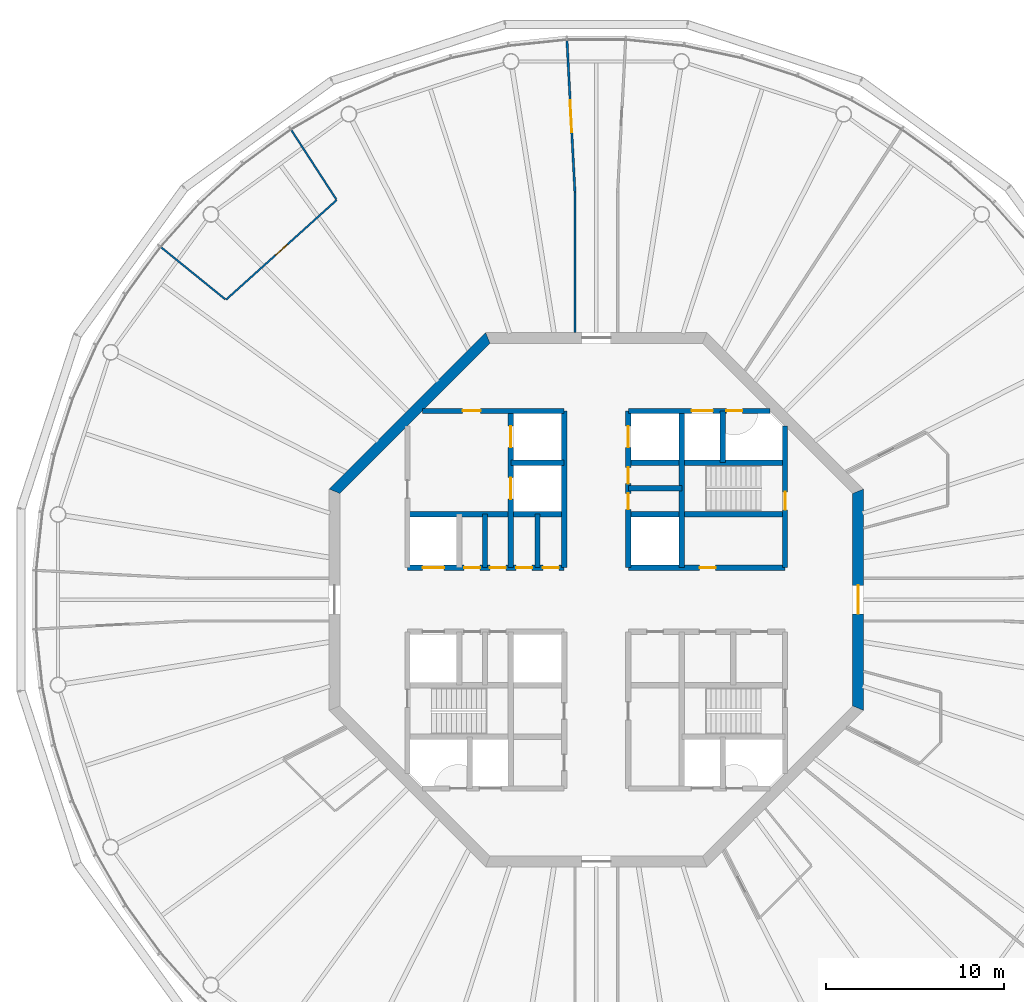
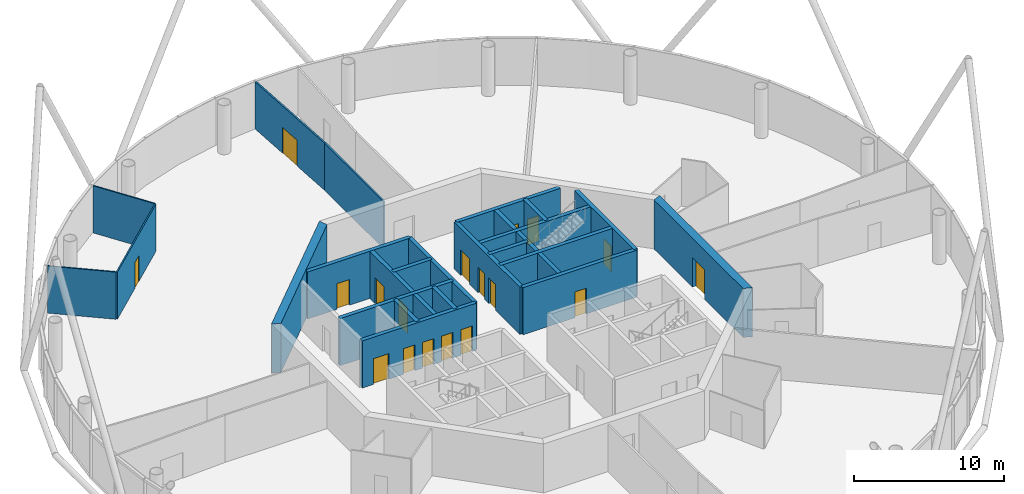
# One storey, part 5 of 13: 24 walls, 18 doors, 18 openings.
"""IFC4 building model written with IfcOpenShell, lengths in metres."""

from ifc_helpers import new_model, si_unit, direction, frame, frame_2d, origin, place, context, subcontext, project, spatial, polyline, rectangle, outline, extrude, material, layer, layer_set, type_object, element, fill, save


model = new_model("IFC4")

# Units and contexts
model_context = context("Model", 3, precision=1e-05, world=origin(), true_north=direction((0.0, 1.0)))
body_context = subcontext(model_context, "Body", "Model", "MODEL_VIEW")
ifc_project = project(units=[si_unit("LENGTHUNIT", "METRE"), si_unit("AREAUNIT", "SQUARE_METRE"), si_unit("VOLUMEUNIT", "CUBIC_METRE"), si_unit("PLANEANGLEUNIT", "RADIAN"), si_unit("MASSUNIT", "GRAM", prefix="KILO")], contexts=[model_context])

# Site, building, storey
site_placement = place(None, origin())
site = spatial("IfcSite", under=ifc_project, at=site_placement, CompositionType="ELEMENT")
building_placement = place(site_placement, origin())
building = spatial("IfcBuilding", under=site, at=building_placement, Name="Entoto Ring Tower", CompositionType="ELEMENT")
storey_placement = place(building_placement, frame((0.0, 0.0, 356.0)))
storey = spatial("IfcBuildingStorey", under=building, at=storey_placement, Name="L82", CompositionType="ELEMENT", Elevation=356.0)

# Wall, opening, door
ifc_material_1 = material(Name="Concrete C40/50", Category="concrete")
ifc_layer_1 = layer(ifc_material_1, 0.300048828125)
ifc_layer_set_1 = layer_set([ifc_layer_1], Name="Concrete C40/50")
wall_type_1 = type_object("IfcWallType", Name="Core enclosure wall 300 mm reinforced concrete", PredefinedType="SOLIDWALL", material=ifc_layer_set_1)
wall_1_placement = place(storey_placement, frame((100.60009765625, 81.800048828125, 0.0), z_axis=(0.0, 0.0, 1.0), x_axis=(0.0, 1.0, 0.0)))
wall_1 = element("IfcWall", 1, at=wall_1_placement, inside=storey, type_object=wall_type_1, Name="wall-L82-002", PredefinedType="SOLIDWALL", context=body_context, shape_type="SweptSolid", body=[
    extrude(rectangle(XDim=7.964599609375, YDim=0.300048828125, at=frame_2d((3.982421875, 0.0))), origin(), (0.0, 0.0, 1.0), 3.85009765625),
])
opening_1_placement = place(wall_1_placement, frame((3.25, 0.0, 0.0)))
opening_1 = element("IfcOpeningElement", 2, at=opening_1_placement, cuts=wall_1, Name="Opening K-26", PredefinedType="OPENING", context=body_context, shape_type="SweptSolid", body=[
    extrude(rectangle(XDim=1.0, YDim=2.10009765625, at=frame_2d((0.5, 1.050048828125))), frame((0.0, 0.16015625, 0.0), z_axis=(0.0, -1.0, 0.0), x_axis=(1.0, 0.0, 0.0)), (0.0, 0.0, 1.0), 0.320068359375),
])
ifc_material_2 = material(Name="Steel door leaf, fire rated", Category="steel")
ifc_layer_2 = layer(ifc_material_2, 0.050048828125)
ifc_layer_set_2 = layer_set([ifc_layer_2], Name="Steel door leaf, fire rated")
door_type_1 = type_object("IfcDoorType", Name="Fire door FD60 1000 x 2100 single leaf", OperationType="NOTDEFINED", PredefinedType="DOOR", material=ifc_layer_set_2)
door_1_placement = place(opening_1_placement, origin())
door_1 = element("IfcDoor", 3, at=door_1_placement, inside=storey, type_object=door_type_1, Name="Door K-26", OperationType="SINGLE_SWING_LEFT", OverallHeight=2.10009765625, OverallWidth=1.0, PredefinedType="DOOR", context=body_context, shape_type="SweptSolid", body=[
    extrude(rectangle(XDim=1.0, YDim=2.10009765625, at=frame_2d((0.5, 1.050048828125))), frame((0.0, 0.02490234375, 0.0), z_axis=(0.0, -1.0, 0.0), x_axis=(1.0, 0.0, 0.0)), (0.0, 0.0, 1.0), 0.050048828125),
])
fill(opening_1, door_1)

# Walls
wall_2_placement = place(storey_placement, frame((97.10009765625, 87.699951171875, 0.0), z_axis=(0.0, 0.0, 1.0), x_axis=(0.0, 1.0, 0.0)))
element("IfcWall", 4, at=wall_2_placement, inside=storey, type_object=wall_type_1, Name="wall-L82-005", PredefinedType="SOLIDWALL", context=body_context, shape_type="SweptSolid", body=[
    extrude(rectangle(XDim=2.900146484375, YDim=0.300048828125, at=frame_2d((1.4501953125, 0.0))), origin(), (0.0, 0.0, 1.0), 3.85009765625),
])
wall_3_placement = place(storey_placement, frame((94.800048828125, 81.800048828125, 0.0), z_axis=(0.0, 0.0, 1.0), x_axis=(0.0, 1.0, 0.0)))
element("IfcWall", 5, at=wall_3_placement, inside=storey, type_object=wall_type_1, Name="wall-L82-007", PredefinedType="SOLIDWALL", context=body_context, shape_type="SweptSolid", body=[
    extrude(rectangle(XDim=8.800048828125, YDim=0.300048828125, at=frame_2d((4.39990234375, 0.0))), origin(), (0.0, 0.0, 1.0), 3.85009765625),
])

# Wall, openings, doors
wall_4_placement = place(storey_placement, frame((91.800048828125, 81.800048828125, 0.0), z_axis=(0.0, 0.0, 1.0), x_axis=(0.0, 1.0, 0.0)))
wall_4 = element("IfcWall", 6, at=wall_4_placement, inside=storey, type_object=wall_type_1, Name="wall-L82-009", PredefinedType="SOLIDWALL", context=body_context, shape_type="SweptSolid", body=[
    extrude(rectangle(XDim=8.800048828125, YDim=0.300048828125, at=frame_2d((4.39990234375, 0.0))), origin(), (0.0, 0.0, 1.0), 3.85009765625),
])
opening_2_placement = place(wall_4_placement, frame((6.75, 0.0, 0.0)))
opening_2 = element("IfcOpeningElement", 7, at=opening_2_placement, cuts=wall_4, Name="Opening LD", PredefinedType="OPENING", context=body_context, shape_type="SweptSolid", body=[
    extrude(rectangle(XDim=1.199951171875, YDim=2.10009765625, at=frame_2d((0.60009765625, 1.050048828125))), frame((0.0, 0.16015625, 0.0), z_axis=(0.0, -1.0, 0.0), x_axis=(1.0, 0.0, 0.0)), (0.0, 0.0, 1.0), 0.320068359375),
])
opening_3_placement = place(wall_4_placement, frame((3.27490234375, 0.0, 0.0)))
opening_3 = element("IfcOpeningElement", 8, at=opening_3_placement, cuts=wall_4, Name="Opening K-18", PredefinedType="OPENING", context=body_context, shape_type="SweptSolid", body=[
    extrude(rectangle(XDim=0.89990234375, YDim=2.10009765625, at=frame_2d((0.449951171875, 1.050048828125))), frame((0.0, 0.16015625, 0.0), z_axis=(0.0, -1.0, 0.0), x_axis=(1.0, 0.0, 0.0)), (0.0, 0.0, 1.0), 0.320068359375),
])
opening_4_placement = place(wall_4_placement, frame((4.72509765625, 0.0, 0.0)))
opening_4 = element("IfcOpeningElement", 9, at=opening_4_placement, cuts=wall_4, Name="Opening K-19", PredefinedType="OPENING", context=body_context, shape_type="SweptSolid", body=[
    extrude(rectangle(XDim=0.89990234375, YDim=2.10009765625, at=frame_2d((0.449951171875, 1.050048828125))), frame((0.0, 0.16015625, 0.0), z_axis=(0.0, -1.0, 0.0), x_axis=(1.0, 0.0, 0.0)), (0.0, 0.0, 1.0), 0.320068359375),
])
ifc_material_3 = material(Name="Steel door leaf, fire rated", Category="steel")
ifc_layer_3 = layer(ifc_material_3, 0.050048828125)
ifc_layer_set_3 = layer_set([ifc_layer_3], Name="Steel door leaf, fire rated")
door_type_2 = type_object("IfcDoorType", Name="Core door 900 x 2100 single leaf", OperationType="NOTDEFINED", PredefinedType="DOOR", material=ifc_layer_set_3)
door_2_placement = place(opening_3_placement, frame((0.89990234375, 0.0, 0.0), z_axis=(0.0, 0.0, 1.0), x_axis=(-1.0, 0.0, 0.0)))
door_2 = element("IfcDoor", 10, at=door_2_placement, inside=storey, type_object=door_type_2, Name="Door K-18", OperationType="SINGLE_SWING_LEFT", OverallHeight=2.10009765625, OverallWidth=0.89990234375, PredefinedType="DOOR", context=body_context, shape_type="SweptSolid", body=[
    extrude(rectangle(XDim=0.89990234375, YDim=2.10009765625, at=frame_2d((0.449951171875, 1.050048828125))), frame((0.0, 0.02490234375, 0.0), z_axis=(0.0, -1.0, 0.0), x_axis=(1.0, 0.0, 0.0)), (0.0, 0.0, 1.0), 0.050048828125),
])
fill(opening_3, door_2)
door_3_placement = place(opening_4_placement, frame((0.89990234375, 0.0, 0.0), z_axis=(0.0, 0.0, 1.0), x_axis=(-1.0, 0.0, 0.0)))
door_3 = element("IfcDoor", 11, at=door_3_placement, inside=storey, type_object=door_type_2, Name="Door K-19", OperationType="SINGLE_SWING_RIGHT", OverallHeight=2.10009765625, OverallWidth=0.89990234375, PredefinedType="DOOR", context=body_context, shape_type="SweptSolid", body=[
    extrude(rectangle(XDim=0.89990234375, YDim=2.10009765625, at=frame_2d((0.449951171875, 1.050048828125))), frame((0.0, 0.02490234375, 0.0), z_axis=(0.0, -1.0, 0.0), x_axis=(1.0, 0.0, 0.0)), (0.0, 0.0, 1.0), 0.050048828125),
])
fill(opening_4, door_3)
ifc_material_4 = material(Name="Steel and glass door leaf", Category="steel")
ifc_layer_4 = layer(ifc_material_4, 0.050048828125)
ifc_layer_set_4 = layer_set([ifc_layer_4], Name="Steel and glass door leaf")
door_type_3 = type_object("IfcDoorType", Name="Landing door 1200 x 2100 sliding", OperationType="DOUBLE_DOOR_SLIDING", PredefinedType="DOOR", material=ifc_layer_set_4)
door_4_placement = place(opening_2_placement, origin())
door_4 = element("IfcDoor", 12, at=door_4_placement, inside=storey, type_object=door_type_3, Name="Landing door SH3", OperationType="SLIDING_TO_RIGHT", OverallHeight=2.10009765625, OverallWidth=1.199951171875, PredefinedType="DOOR", context=body_context, shape_type="SweptSolid", body=[
    extrude(rectangle(XDim=1.199951171875, YDim=2.10009765625, at=frame_2d((0.60009765625, 1.050048828125))), frame((0.0, 0.02490234375, 0.0), z_axis=(0.0, -1.0, 0.0), x_axis=(1.0, 0.0, 0.0)), (0.0, 0.0, 1.0), 0.050048828125),
])
fill(opening_2, door_4)

# Walls
wall_5_placement = place(storey_placement, frame((88.199951171875, 81.800048828125, 0.0), z_axis=(0.0, 0.0, 1.0), x_axis=(0.0, 1.0, 0.0)))
element("IfcWall", 13, at=wall_5_placement, inside=storey, type_object=wall_type_1, Name="wall-L82-011", PredefinedType="SOLIDWALL", context=body_context, shape_type="SweptSolid", body=[
    extrude(rectangle(XDim=8.800048828125, YDim=0.300048828125, at=frame_2d((4.39990234375, 0.0))), origin(), (0.0, 0.0, 1.0), 3.85009765625),
])
wall_6_placement = place(storey_placement, frame((86.699951171875, 81.800048828125, 0.0), z_axis=(0.0, 0.0, 1.0), x_axis=(0.0, 1.0, 0.0)))
element("IfcWall", 14, at=wall_6_placement, inside=storey, type_object=wall_type_1, Name="wall-L82-012", PredefinedType="SOLIDWALL", context=body_context, shape_type="SweptSolid", body=[
    extrude(rectangle(XDim=3.0, YDim=0.300048828125, at=frame_2d((1.5, 0.0))), origin(), (0.0, 0.0, 1.0), 3.85009765625),
])

# Wall, openings, doors
wall_7_placement = place(storey_placement, frame((85.199951171875, 81.800048828125, 0.0), z_axis=(0.0, 0.0, 1.0), x_axis=(0.0, 1.0, 0.0)))
wall_7 = element("IfcWall", 15, at=wall_7_placement, inside=storey, type_object=wall_type_1, Name="wall-L82-014", PredefinedType="SOLIDWALL", context=body_context, shape_type="SweptSolid", body=[
    extrude(rectangle(XDim=8.800048828125, YDim=0.300048828125, at=frame_2d((4.39990234375, 0.0))), origin(), (0.0, 0.0, 1.0), 3.85009765625),
])
opening_5_placement = place(wall_7_placement, frame((3.85009765625, 0.0, 0.0)))
opening_5 = element("IfcOpeningElement", 16, at=opening_5_placement, cuts=wall_7, Name="Opening LD", PredefinedType="OPENING", context=body_context, shape_type="SweptSolid", body=[
    extrude(rectangle(XDim=1.199951171875, YDim=2.10009765625, at=frame_2d((0.60009765625, 1.050048828125))), frame((0.0, 0.16015625, 0.0), z_axis=(0.0, -1.0, 0.0), x_axis=(1.0, 0.0, 0.0)), (0.0, 0.0, 1.0), 0.320068359375),
])
opening_6_placement = place(wall_7_placement, frame((6.75, 0.0, 0.0)))
opening_6 = element("IfcOpeningElement", 17, at=opening_6_placement, cuts=wall_7, Name="Opening LD", PredefinedType="OPENING", context=body_context, shape_type="SweptSolid", body=[
    extrude(rectangle(XDim=1.199951171875, YDim=2.10009765625, at=frame_2d((0.60009765625, 1.050048828125))), frame((0.0, 0.16015625, 0.0), z_axis=(0.0, -1.0, 0.0), x_axis=(1.0, 0.0, 0.0)), (0.0, 0.0, 1.0), 0.320068359375),
])
door_5_placement = place(opening_5_placement, origin())
door_5 = element("IfcDoor", 18, at=door_5_placement, inside=storey, type_object=door_type_3, Name="Landing door FF1", OperationType="SLIDING_TO_RIGHT", OverallHeight=2.10009765625, OverallWidth=1.199951171875, PredefinedType="DOOR", context=body_context, shape_type="SweptSolid", body=[
    extrude(rectangle(XDim=1.199951171875, YDim=2.10009765625, at=frame_2d((0.60009765625, 1.050048828125))), frame((0.0, 0.02490234375, 0.0), z_axis=(0.0, -1.0, 0.0), x_axis=(1.0, 0.0, 0.0)), (0.0, 0.0, 1.0), 0.050048828125),
])
fill(opening_5, door_5)
door_6_placement = place(opening_6_placement, origin())
door_6 = element("IfcDoor", 19, at=door_6_placement, inside=storey, type_object=door_type_3, Name="Landing door FF2", OperationType="SLIDING_TO_RIGHT", OverallHeight=2.10009765625, OverallWidth=1.199951171875, PredefinedType="DOOR", context=body_context, shape_type="SweptSolid", body=[
    extrude(rectangle(XDim=1.199951171875, YDim=2.10009765625, at=frame_2d((0.60009765625, 1.050048828125))), frame((0.0, 0.02490234375, 0.0), z_axis=(0.0, -1.0, 0.0), x_axis=(1.0, 0.0, 0.0)), (0.0, 0.0, 1.0), 0.050048828125),
])
fill(opening_6, door_6)

# Wall
wall_8_placement = place(storey_placement, frame((83.75, 81.800048828125, 0.0), z_axis=(0.0, 0.0, 1.0), x_axis=(0.0, 1.0, 0.0)))
element("IfcWall", 20, at=wall_8_placement, inside=storey, type_object=wall_type_1, Name="wall-L82-016", PredefinedType="SOLIDWALL", context=body_context, shape_type="SweptSolid", body=[
    extrude(rectangle(XDim=3.0, YDim=0.300048828125, at=frame_2d((1.5, 0.0))), origin(), (0.0, 0.0, 1.0), 3.85009765625),
])

# Wall, openings, doors
wall_9_placement = place(storey_placement, frame((79.39990234375, 81.800048828125, 0.0), z_axis=(0.0, 0.0, 1.0), x_axis=(1.0, 0.0, 0.0)))
wall_9 = element("IfcWall", 21, at=wall_9_placement, inside=storey, type_object=wall_type_1, Name="wall-L82-030", PredefinedType="SOLIDWALL", context=body_context, shape_type="SweptSolid", body=[
    extrude(rectangle(XDim=8.800048828125, YDim=0.300048828125, at=frame_2d((4.39990234375, 0.0))), origin(), (0.0, 0.0, 1.0), 3.85009765625),
])
opening_7_placement = place(wall_9_placement, frame((0.85009765625, 0.0, 0.0)))
opening_7 = element("IfcOpeningElement", 22, at=opening_7_placement, cuts=wall_9, Name="Opening LD", PredefinedType="OPENING", context=body_context, shape_type="SweptSolid", body=[
    extrude(rectangle(XDim=1.199951171875, YDim=2.10009765625, at=frame_2d((0.60009765625, 1.050048828125))), frame((0.0, 0.16015625, 0.0), z_axis=(0.0, -1.0, 0.0), x_axis=(1.0, 0.0, 0.0)), (0.0, 0.0, 1.0), 0.320068359375),
])
opening_8_placement = place(wall_9_placement, frame((3.175048828125, 0.0, 0.0)))
opening_8 = element("IfcOpeningElement", 23, at=opening_8_placement, cuts=wall_9, Name="Opening K-12", PredefinedType="OPENING", context=body_context, shape_type="SweptSolid", body=[
    extrude(rectangle(XDim=0.89990234375, YDim=2.10009765625, at=frame_2d((0.449951171875, 1.050048828125))), frame((0.0, 0.16015625, 0.0), z_axis=(0.0, -1.0, 0.0), x_axis=(1.0, 0.0, 0.0)), (0.0, 0.0, 1.0), 0.320068359375),
])
opening_9_placement = place(wall_9_placement, frame((4.625, 0.0, 0.0)))
opening_9 = element("IfcOpeningElement", 24, at=opening_9_placement, cuts=wall_9, Name="Opening K-46", PredefinedType="OPENING", context=body_context, shape_type="SweptSolid", body=[
    extrude(rectangle(XDim=0.89990234375, YDim=2.10009765625, at=frame_2d((0.449951171875, 1.050048828125))), frame((0.0, 0.16015625, 0.0), z_axis=(0.0, -1.0, 0.0), x_axis=(1.0, 0.0, 0.0)), (0.0, 0.0, 1.0), 0.320068359375),
])
opening_10_placement = place(wall_9_placement, frame((6.10009765625, 0.0, 0.0)))
opening_10 = element("IfcOpeningElement", 25, at=opening_10_placement, cuts=wall_9, Name="Opening K-71", PredefinedType="OPENING", context=body_context, shape_type="SweptSolid", body=[
    extrude(rectangle(XDim=0.89990234375, YDim=2.10009765625, at=frame_2d((0.449951171875, 1.050048828125))), frame((0.0, 0.16015625, 0.0), z_axis=(0.0, -1.0, 0.0), x_axis=(1.0, 0.0, 0.0)), (0.0, 0.0, 1.0), 0.320068359375),
])
opening_11_placement = place(wall_9_placement, frame((7.60009765625, 0.0, 0.0)))
opening_11 = element("IfcOpeningElement", 26, at=opening_11_placement, cuts=wall_9, Name="Opening K-24", PredefinedType="OPENING", context=body_context, shape_type="SweptSolid", body=[
    extrude(rectangle(XDim=0.89990234375, YDim=2.10009765625, at=frame_2d((0.449951171875, 1.050048828125))), frame((0.0, 0.16015625, 0.0), z_axis=(0.0, -1.0, 0.0), x_axis=(1.0, 0.0, 0.0)), (0.0, 0.0, 1.0), 0.320068359375),
])
door_7_placement = place(opening_8_placement, origin())
door_7 = element("IfcDoor", 27, at=door_7_placement, inside=storey, type_object=door_type_2, Name="Door K-12", OperationType="SINGLE_SWING_RIGHT", OverallHeight=2.10009765625, OverallWidth=0.89990234375, PredefinedType="DOOR", context=body_context, shape_type="SweptSolid", body=[
    extrude(rectangle(XDim=0.89990234375, YDim=2.10009765625, at=frame_2d((0.449951171875, 1.050048828125))), frame((0.0, 0.02490234375, 0.0), z_axis=(0.0, -1.0, 0.0), x_axis=(1.0, 0.0, 0.0)), (0.0, 0.0, 1.0), 0.050048828125),
])
fill(opening_8, door_7)
door_8_placement = place(opening_9_placement, origin())
door_8 = element("IfcDoor", 28, at=door_8_placement, inside=storey, type_object=door_type_2, Name="Door K-46", OperationType="SINGLE_SWING_RIGHT", OverallHeight=2.10009765625, OverallWidth=0.89990234375, PredefinedType="DOOR", context=body_context, shape_type="SweptSolid", body=[
    extrude(rectangle(XDim=0.89990234375, YDim=2.10009765625, at=frame_2d((0.449951171875, 1.050048828125))), frame((0.0, 0.02490234375, 0.0), z_axis=(0.0, -1.0, 0.0), x_axis=(1.0, 0.0, 0.0)), (0.0, 0.0, 1.0), 0.050048828125),
])
fill(opening_9, door_8)
door_9_placement = place(opening_10_placement, origin())
door_9 = element("IfcDoor", 29, at=door_9_placement, inside=storey, type_object=door_type_2, Name="Door K-71", OperationType="SINGLE_SWING_LEFT", OverallHeight=2.10009765625, OverallWidth=0.89990234375, PredefinedType="DOOR", context=body_context, shape_type="SweptSolid", body=[
    extrude(rectangle(XDim=0.89990234375, YDim=2.10009765625, at=frame_2d((0.449951171875, 1.050048828125))), frame((0.0, 0.02490234375, 0.0), z_axis=(0.0, -1.0, 0.0), x_axis=(1.0, 0.0, 0.0)), (0.0, 0.0, 1.0), 0.050048828125),
])
fill(opening_10, door_9)
door_10_placement = place(opening_11_placement, origin())
door_10 = element("IfcDoor", 30, at=door_10_placement, inside=storey, type_object=door_type_2, Name="Door K-24", OperationType="SINGLE_SWING_LEFT", OverallHeight=2.10009765625, OverallWidth=0.89990234375, PredefinedType="DOOR", context=body_context, shape_type="SweptSolid", body=[
    extrude(rectangle(XDim=0.89990234375, YDim=2.10009765625, at=frame_2d((0.449951171875, 1.050048828125))), frame((0.0, 0.02490234375, 0.0), z_axis=(0.0, -1.0, 0.0), x_axis=(1.0, 0.0, 0.0)), (0.0, 0.0, 1.0), 0.050048828125),
])
fill(opening_11, door_10)
door_11_placement = place(opening_7_placement, origin())
door_11 = element("IfcDoor", 31, at=door_11_placement, inside=storey, type_object=door_type_3, Name="Landing door SH1", OperationType="SLIDING_TO_RIGHT", OverallHeight=2.10009765625, OverallWidth=1.199951171875, PredefinedType="DOOR", context=body_context, shape_type="SweptSolid", body=[
    extrude(rectangle(XDim=1.199951171875, YDim=2.10009765625, at=frame_2d((0.60009765625, 1.050048828125))), frame((0.0, 0.02490234375, 0.0), z_axis=(0.0, -1.0, 0.0), x_axis=(1.0, 0.0, 0.0)), (0.0, 0.0, 1.0), 0.050048828125),
])
fill(opening_7, door_11)

# Wall, opening, door
wall_10_placement = place(storey_placement, frame((91.800048828125, 81.800048828125, 0.0), z_axis=(0.0, 0.0, 1.0), x_axis=(1.0, 0.0, 0.0)))
wall_10 = element("IfcWall", 32, at=wall_10_placement, inside=storey, type_object=wall_type_1, Name="wall-L82-031", PredefinedType="SOLIDWALL", context=body_context, shape_type="SweptSolid", body=[
    extrude(rectangle(XDim=8.800048828125, YDim=0.300048828125, at=frame_2d((4.39990234375, 0.0))), origin(), (0.0, 0.0, 1.0), 3.85009765625),
])
opening_12_placement = place(wall_10_placement, frame((4.0, 0.0, 0.0)))
opening_12 = element("IfcOpeningElement", 33, at=opening_12_placement, cuts=wall_10, Name="Opening K-11", PredefinedType="OPENING", context=body_context, shape_type="SweptSolid", body=[
    extrude(rectangle(XDim=0.89990234375, YDim=2.10009765625, at=frame_2d((0.449951171875, 1.050048828125))), frame((0.0, 0.16015625, 0.0), z_axis=(0.0, -1.0, 0.0), x_axis=(1.0, 0.0, 0.0)), (0.0, 0.0, 1.0), 0.320068359375),
])
door_12_placement = place(opening_12_placement, origin())
door_12 = element("IfcDoor", 34, at=door_12_placement, inside=storey, type_object=door_type_2, Name="Door K-11", OperationType="SINGLE_SWING_LEFT", OverallHeight=2.10009765625, OverallWidth=0.89990234375, PredefinedType="DOOR", context=body_context, shape_type="SweptSolid", body=[
    extrude(rectangle(XDim=0.89990234375, YDim=2.10009765625, at=frame_2d((0.449951171875, 1.050048828125))), frame((0.0, 0.02490234375, 0.0), z_axis=(0.0, -1.0, 0.0), x_axis=(1.0, 0.0, 0.0)), (0.0, 0.0, 1.0), 0.050048828125),
])
fill(opening_12, door_12)

# Walls
for number, where, z_axis, x_axis, name in (
    (35, (79.39990234375, 84.800048828125, 0.0), (0.0, 0.0, 1.0), (1.0, 0.0, 0.0), "wall-L82-032"),
    (36, (91.800048828125, 84.800048828125, 0.0), (0.0, 0.0, 1.0), (1.0, 0.0, 0.0), "wall-L82-033"),
):
    element("IfcWall", number, at=place(storey_placement, frame(where, z_axis=z_axis, x_axis=x_axis)), inside=storey, type_object=wall_type_1, Name=name, PredefinedType="SOLIDWALL", context=body_context, shape_type="SweptSolid", body=[
        extrude(rectangle(XDim=8.800048828125, YDim=0.300048828125, at=frame_2d((4.39990234375, 0.0))), origin(), (0.0, 0.0, 1.0), 3.85009765625),
    ])
for number, where, z_axis, x_axis, name in (
    (37, (91.800048828125, 86.25, 0.0), (0.0, 0.0, 1.0), (1.0, 0.0, 0.0), "wall-L82-034"),
    (38, (85.199951171875, 87.699951171875, 0.0), (0.0, 0.0, 1.0), (1.0, 0.0, 0.0), "wall-L82-035"),
):
    element("IfcWall", number, at=place(storey_placement, frame(where, z_axis=z_axis, x_axis=x_axis)), inside=storey, type_object=wall_type_1, Name=name, PredefinedType="SOLIDWALL", context=body_context, shape_type="SweptSolid", body=[
        extrude(rectangle(XDim=3.0, YDim=0.300048828125, at=frame_2d((1.5, 0.0))), origin(), (0.0, 0.0, 1.0), 3.85009765625),
    ])
wall_11_placement = place(storey_placement, frame((91.800048828125, 87.699951171875, 0.0), z_axis=(0.0, 0.0, 1.0), x_axis=(1.0, 0.0, 0.0)))
element("IfcWall", 39, at=wall_11_placement, inside=storey, type_object=wall_type_1, Name="wall-L82-036", PredefinedType="SOLIDWALL", context=body_context, shape_type="SweptSolid", body=[
    extrude(rectangle(XDim=8.800048828125, YDim=0.300048828125, at=frame_2d((4.39990234375, 0.0))), origin(), (0.0, 0.0, 1.0), 3.85009765625),
])

# Wall, opening, door
wall_12_placement = place(storey_placement, frame((80.2353515625, 90.60009765625, 0.0), z_axis=(0.0, 0.0, 1.0), x_axis=(1.0, 0.0, 0.0)))
wall_12 = element("IfcWall", 40, at=wall_12_placement, inside=storey, type_object=wall_type_1, Name="wall-L82-037", PredefinedType="SOLIDWALL", context=body_context, shape_type="SweptSolid", body=[
    extrude(rectangle(XDim=7.964599609375, YDim=0.300048828125, at=frame_2d((3.982421875, 0.0))), origin(), (0.0, 0.0, 1.0), 3.85009765625),
])
opening_13_placement = place(wall_12_placement, frame((2.2646484375, 0.0, 0.0)))
opening_13 = element("IfcOpeningElement", 41, at=opening_13_placement, cuts=wall_12, Name="Opening K-87", PredefinedType="OPENING", context=body_context, shape_type="SweptSolid", body=[
    extrude(rectangle(XDim=1.0, YDim=2.10009765625, at=frame_2d((0.5, 1.050048828125))), frame((0.0, 0.16015625, 0.0), z_axis=(0.0, -1.0, 0.0), x_axis=(1.0, 0.0, 0.0)), (0.0, 0.0, 1.0), 0.320068359375),
])
door_13_placement = place(opening_13_placement, frame((1.0, 0.0, 0.0), z_axis=(0.0, 0.0, 1.0), x_axis=(-1.0, 0.0, 0.0)))
door_13 = element("IfcDoor", 42, at=door_13_placement, inside=storey, type_object=door_type_1, Name="Door K-87", OperationType="SINGLE_SWING_LEFT", OverallHeight=2.10009765625, OverallWidth=1.0, PredefinedType="DOOR", context=body_context, shape_type="SweptSolid", body=[
    extrude(rectangle(XDim=1.0, YDim=2.10009765625, at=frame_2d((0.5, 1.050048828125))), frame((0.0, 0.02490234375, 0.0), z_axis=(0.0, -1.0, 0.0), x_axis=(1.0, 0.0, 0.0)), (0.0, 0.0, 1.0), 0.050048828125),
])
fill(opening_13, door_13)

# Wall, openings, doors
wall_13_placement = place(storey_placement, frame((91.800048828125, 90.60009765625, 0.0), z_axis=(0.0, 0.0, 1.0), x_axis=(1.0, 0.0, 0.0)))
wall_13 = element("IfcWall", 43, at=wall_13_placement, inside=storey, type_object=wall_type_1, Name="wall-L82-038", PredefinedType="SOLIDWALL", context=body_context, shape_type="SweptSolid", body=[
    extrude(rectangle(XDim=7.964599609375, YDim=0.300048828125, at=frame_2d((3.982421875, 0.0))), origin(), (0.0, 0.0, 1.0), 3.85009765625),
])
opening_14_placement = place(wall_13_placement, frame((3.550048828125, 0.0, 0.0)))
opening_14 = element("IfcOpeningElement", 44, at=opening_14_placement, cuts=wall_13, Name="Opening LD", PredefinedType="OPENING", context=body_context, shape_type="SweptSolid", body=[
    extrude(rectangle(XDim=1.199951171875, YDim=2.10009765625, at=frame_2d((0.60009765625, 1.050048828125))), frame((0.0, 0.16015625, 0.0), z_axis=(0.0, -1.0, 0.0), x_axis=(1.0, 0.0, 0.0)), (0.0, 0.0, 1.0), 0.320068359375),
])
opening_15_placement = place(wall_13_placement, frame((5.5, 0.0, 0.0)))
opening_15 = element("IfcOpeningElement", 45, at=opening_15_placement, cuts=wall_13, Name="Opening K-83", PredefinedType="OPENING", context=body_context, shape_type="SweptSolid", body=[
    extrude(rectangle(XDim=0.89990234375, YDim=2.10009765625, at=frame_2d((0.449951171875, 1.050048828125))), frame((0.0, 0.16015625, 0.0), z_axis=(0.0, -1.0, 0.0), x_axis=(1.0, 0.0, 0.0)), (0.0, 0.0, 1.0), 0.320068359375),
])
door_14_placement = place(opening_14_placement, origin())
door_14 = element("IfcDoor", 46, at=door_14_placement, inside=storey, type_object=door_type_3, Name="Landing door LB1-HR", OperationType="SLIDING_TO_RIGHT", OverallHeight=2.10009765625, OverallWidth=1.199951171875, PredefinedType="DOOR", context=body_context, shape_type="SweptSolid", body=[
    extrude(rectangle(XDim=1.199951171875, YDim=2.10009765625, at=frame_2d((0.60009765625, 1.050048828125))), frame((0.0, 0.02490234375, 0.0), z_axis=(0.0, -1.0, 0.0), x_axis=(1.0, 0.0, 0.0)), (0.0, 0.0, 1.0), 0.050048828125),
])
fill(opening_14, door_14)
ifc_material_5 = material(Name="Steel door leaf, fire rated", Category="steel")
ifc_layer_5 = layer(ifc_material_5, 0.050048828125)
ifc_layer_set_5 = layer_set([ifc_layer_5], Name="Steel door leaf, fire rated")
door_type_4 = type_object("IfcDoorType", Name="Riser door FD60 900 x 2100 single leaf", OperationType="NOTDEFINED", PredefinedType="DOOR", material=ifc_layer_set_5)
door_15_placement = place(opening_15_placement, frame((0.89990234375, 0.0, 0.0), z_axis=(0.0, 0.0, 1.0), x_axis=(-1.0, 0.0, 0.0)))
door_15 = element("IfcDoor", 47, at=door_15_placement, inside=storey, type_object=door_type_4, Name="Door K-83", OperationType="SINGLE_SWING_RIGHT", OverallHeight=2.10009765625, OverallWidth=0.89990234375, PredefinedType="DOOR", context=body_context, shape_type="SweptSolid", body=[
    extrude(rectangle(XDim=0.89990234375, YDim=2.10009765625, at=frame_2d((0.449951171875, 1.050048828125))), frame((0.0, 0.02490234375, 0.0), z_axis=(0.0, -1.0, 0.0), x_axis=(1.0, 0.0, 0.0)), (0.0, 0.0, 1.0), 0.050048828125),
])
fill(opening_15, door_15)

# Wall, opening, door
ifc_material_6 = material(Name="Concrete C40/50", Category="concrete")
ifc_layer_6 = layer(ifc_material_6, 0.60009765625)
ifc_layer_set_6 = layer_set([ifc_layer_6], Name="Concrete C40/50")
wall_type_2 = type_object("IfcWallType", Name="Core shear wall 600 mm reinforced concrete C40/50", PredefinedType="SHEAR", material=ifc_layer_set_6)
wall_14_placement = place(storey_placement, frame((104.699951171875, 73.9111328125, 0.0), z_axis=(0.0, 0.0, 1.0), x_axis=(0.0, 1.0, 0.0)))
wall_14 = element("IfcWall", 48, at=wall_14_placement, inside=storey, type_object=wall_type_2, Name="wall-L82-core-0", PredefinedType="SHEAR", context=body_context, shape_type="SweptSolid", body=[
    extrude(outline(polyline([(-0.124267578125, -0.300048828125), (12.302001953125, -0.300048828125), (12.053466796875, 0.300048828125), (0.124267578125, 0.300048828125), (-0.124267578125, -0.300048828125)])), origin(), (0.0, 0.0, 1.0), 4.0),
])
opening_16_placement = place(wall_14_placement, frame((5.288818359375, 0.0, 0.0)))
opening_16 = element("IfcOpeningElement", 49, at=opening_16_placement, cuts=wall_14, Name="Opening K-01", PredefinedType="OPENING", context=body_context, shape_type="SweptSolid", body=[
    extrude(rectangle(XDim=1.60009765625, YDim=2.39990234375, at=frame_2d((0.800048828125, 1.199951171875))), frame((0.0, 0.31005859375, 0.0), z_axis=(0.0, -1.0, 0.0), x_axis=(1.0, 0.0, 0.0)), (0.0, 0.0, 1.0), 0.6201171875),
])
ifc_material_7 = material(Name="Steel door leaf, fire rated", Category="steel")
ifc_layer_7 = layer(ifc_material_7, 0.050048828125)
ifc_layer_set_7 = layer_set([ifc_layer_7], Name="Steel door leaf, fire rated")
door_type_5 = type_object("IfcDoorType", Name="Entrance door FD60 1600 x 2400 double leaf", OperationType="DOUBLE_DOOR_SINGLE_SWING", PredefinedType="DOOR", material=ifc_layer_set_7)
door_16_placement = place(opening_16_placement, origin())
door_16 = element("IfcDoor", 50, at=door_16_placement, inside=storey, type_object=door_type_5, Name="Entrance door K-01", OperationType="DOUBLE_DOOR_SINGLE_SWING", OverallHeight=2.39990234375, OverallWidth=1.60009765625, PredefinedType="DOOR", context=body_context, shape_type="SweptSolid", body=[
    extrude(rectangle(XDim=1.60009765625, YDim=2.39990234375, at=frame_2d((0.800048828125, 1.199951171875))), frame((0.0, 0.02490234375, 0.0), z_axis=(0.0, -1.0, 0.0), x_axis=(1.0, 0.0, 0.0)), (0.0, 0.0, 1.0), 0.050048828125),
])
fill(opening_16, door_16)

# Wall
wall_15_placement = place(storey_placement, frame((83.9111328125, 94.699951171875, 0.0), z_axis=(0.0, 0.0, 1.0), x_axis=(-0.707106781187, -0.707106781187, 0.0)))
element("IfcWall", 51, at=wall_15_placement, inside=storey, type_object=wall_type_2, Name="wall-L82-core-3", PredefinedType="SHEAR", context=body_context, shape_type="SweptSolid", body=[
    extrude(outline(polyline([(-0.124267578125, -0.300048828125), (12.30224609375, -0.300048828125), (12.0537109375, 0.300048828125), (0.124267578125, 0.300048828125), (-0.124267578125, -0.300048828125)])), origin(), (0.0, 0.0, 1.0), 4.0),
])

# Wall, opening, door
ifc_material_8 = material(Name="Fire-resisting plasterboard on steel studs", Category="steel")
ifc_layer_8 = layer(ifc_material_8, 0.125)
ifc_layer_set_8 = layer_set([ifc_layer_8], Name="Fire-resisting plasterboard on steel studs")
wall_type_3 = type_object("IfcWallType", Name="Corridor wall 125 mm one-hour plasterboard on steel studs", PredefinedType="PARTITIONING", material=ifc_layer_set_8)
wall_16_placement = place(storey_placement, frame((88.800048828125, 102.8974609375, 0.0), z_axis=(0.0, 0.0, 1.0), x_axis=(-0.05234956051, 0.998628821692, 0.0)))
wall_16 = element("IfcWall", 52, at=wall_16_placement, inside=storey, type_object=wall_type_3, Name="partition-L82-004", PredefinedType="PARTITIONING", context=body_context, shape_type="SweptSolid", body=[
    extrude(rectangle(XDim=8.51123046875, YDim=0.125, at=frame_2d((4.255615234375, 0.0))), origin(), (0.0, 0.0, 1.0), 3.85009765625),
])
opening_17_placement = place(wall_16_placement, frame((3.355712890625, 0.0, 0.0)))
opening_17 = element("IfcOpeningElement", 53, at=opening_17_placement, cuts=wall_16, Name="Opening A35-D04", PredefinedType="OPENING", context=body_context, shape_type="SweptSolid", body=[
    extrude(rectangle(XDim=1.800048828125, YDim=2.10009765625, at=frame_2d((0.89990234375, 1.050048828125))), frame((0.0, 0.072509765625, 0.0), z_axis=(0.0, -1.0, 0.0), x_axis=(1.0, 0.0, 0.0)), (0.0, 0.0, 1.0), 0.14501953125),
])
ifc_material_9 = material(Name="Fire-resisting timber door set", Category="wood")
door_type_6 = type_object("IfcDoorType", Name="Door 1800 x 2100 double leaf FD30S fire door", OperationType="DOUBLE_DOOR_SINGLE_SWING", PredefinedType="DOOR", material=ifc_material_9)
door_17_placement = place(opening_17_placement, frame((1.800048828125, 0.0, 0.0), z_axis=(0.0, 0.0, 1.0), x_axis=(-1.0, 0.0, 0.0)))
door_17 = element("IfcDoor", 54, at=door_17_placement, inside=storey, type_object=door_type_6, Name="Door A35-D04", OperationType="DOUBLE_DOOR_SINGLE_SWING", OverallHeight=2.10009765625, OverallWidth=1.800048828125, PredefinedType="DOOR", context=body_context, shape_type="SweptSolid", body=[
    extrude(rectangle(XDim=1.800048828125, YDim=2.10009765625, at=frame_2d((0.89990234375, 1.050048828125))), frame((0.0, 0.02490234375, 0.0), z_axis=(0.0, -1.0, 0.0), x_axis=(1.0, 0.0, 0.0)), (0.0, 0.0, 1.0), 0.050048828125),
])
fill(opening_17, door_17)

# Wall
wall_17_placement = place(storey_placement, frame((88.800048828125, 95.0, 0.0), z_axis=(0.0, 0.0, 1.0), x_axis=(0.0, 1.0, 0.0)))
element("IfcWall", 55, at=wall_17_placement, inside=storey, type_object=wall_type_3, Name="partition-L82-012", PredefinedType="PARTITIONING", context=body_context, shape_type="SweptSolid", body=[
    extrude(rectangle(XDim=7.89404296875, YDim=0.125, at=frame_2d((3.947021484375, 0.0))), origin(), (0.0, 0.0, 1.0), 3.85009765625),
])

# Wall, opening, door
ifc_material_10 = material(Name="Plasterboard on steel studs", Category="steel")
ifc_layer_9 = layer(ifc_material_10, 0.10009765625)
ifc_layer_set_9 = layer_set([ifc_layer_9], Name="Plasterboard on steel studs")
wall_type_4 = type_object("IfcWallType", Name="Partition 100 mm plasterboard on steel studs", PredefinedType="PARTITIONING", material=ifc_layer_set_9)
wall_18_placement = place(storey_placement, frame((69.20361328125, 96.840576171875, 0.0), z_axis=(0.0, 0.0, 1.0), x_axis=(0.743141882946, 0.669133874356, 0.0)))
wall_18 = element("IfcWall", 56, at=wall_18_placement, inside=storey, type_object=wall_type_4, Name="partition-L82-019", PredefinedType="PARTITIONING", context=body_context, shape_type="SweptSolid", body=[
    extrude(rectangle(XDim=8.37255859375, YDim=0.10009765625, at=frame_2d((4.186279296875, 0.0))), origin(), (0.0, 0.0, 1.0), 3.85009765625),
])
opening_18_placement = place(wall_18_placement, frame((3.736083984375, 0.0, 0.0)))
opening_18 = element("IfcOpeningElement", 57, at=opening_18_placement, cuts=wall_18, Name="Opening A35-D05", PredefinedType="OPENING", context=body_context, shape_type="SweptSolid", body=[
    extrude(rectangle(XDim=0.89990234375, YDim=2.10009765625, at=frame_2d((0.449951171875, 1.050048828125))), frame((0.0, 0.06005859375, 0.0), z_axis=(0.0, -1.0, 0.0), x_axis=(1.0, 0.0, 0.0)), (0.0, 0.0, 1.0), 0.1201171875),
])
ifc_material_11 = material(Name="Veneered timber door leaf in timber frame", Category="wood")
door_type_7 = type_object("IfcDoorType", Name="Door 900 x 2100 single leaf timber veneer", OperationType="NOTDEFINED", PredefinedType="DOOR", material=ifc_material_11)
door_18_placement = place(opening_18_placement, origin())
door_18 = element("IfcDoor", 58, at=door_18_placement, inside=storey, type_object=door_type_7, Name="Door A35-D05", OperationType="SINGLE_SWING_RIGHT", OverallHeight=2.10009765625, OverallWidth=0.89990234375, PredefinedType="DOOR", context=body_context, shape_type="SweptSolid", body=[
    extrude(rectangle(XDim=0.89990234375, YDim=2.10009765625, at=frame_2d((0.449951171875, 1.050048828125))), frame((0.0, 0.02490234375, 0.0), z_axis=(0.0, -1.0, 0.0), x_axis=(1.0, 0.0, 0.0)), (0.0, 0.0, 1.0), 0.050048828125),
])
fill(opening_18, door_18)

# Walls
for number, where, z_axis, x_axis, name in (
    (59, (75.398681640625, 102.484130859375, 0.0), (0.0, 0.0, 1.0), (-0.544647341491, 0.838665173598, 0.0), "partition-L82-022"),
    (60, (69.165283203125, 96.87158203125, 0.0), (0.0, 0.0, 1.0), (-0.777146643014, 0.629319549397, 0.0), "partition-L82-023"),
):
    element("IfcWall", number, at=place(storey_placement, frame(where, z_axis=z_axis, x_axis=x_axis)), inside=storey, type_object=wall_type_4, Name=name, PredefinedType="PARTITIONING", context=body_context, shape_type="SweptSolid", body=[
        extrude(rectangle(XDim=4.630859375, YDim=0.10009765625, at=frame_2d((2.3154296875, 0.0))), origin(), (0.0, 0.0, 1.0), 3.85009765625),
    ])

save(model, "model.ifc")
